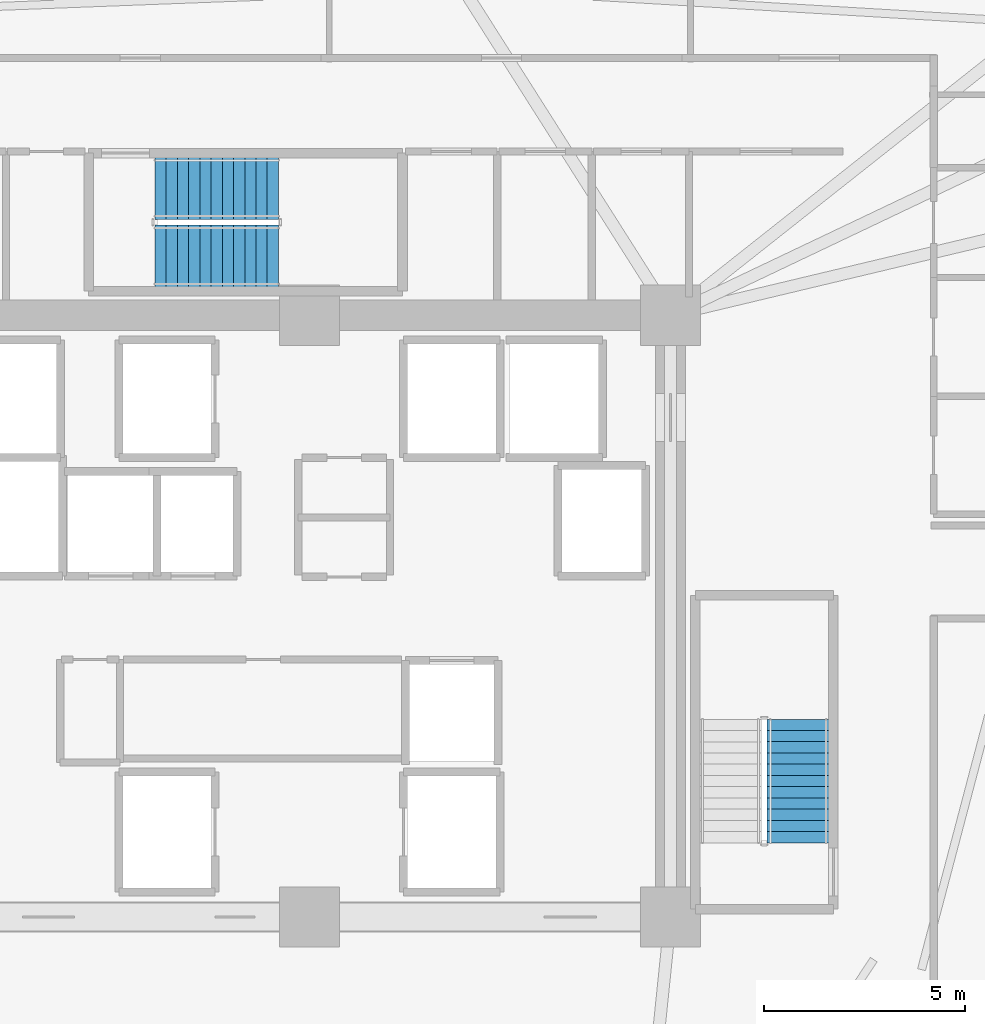
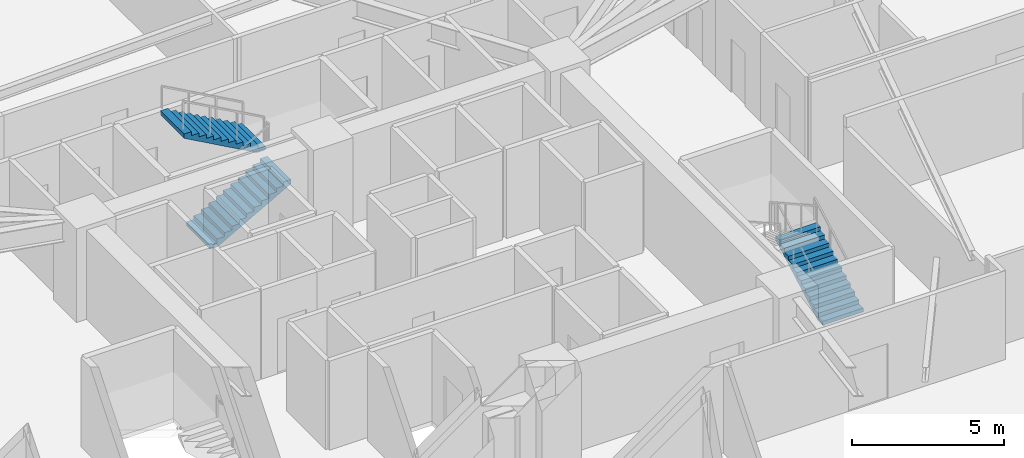
# One storey, part 8 of 9: 3 stair flights, 2 elements without a shape of their own.
"""IFC4 building model written with IfcOpenShell, lengths in metres."""

from ifc_helpers import new_model, si_unit, direction, frame, origin, place, context, subcontext, project, spatial, polyline, outline, extrude, material, type_object, element, aggregate, save


model = new_model("IFC4")

# Units and contexts
model_context = context("Model", 3, precision=1e-05, world=origin(), true_north=direction((0.0, 1.0)))
body_context = subcontext(model_context, "Body", "Model", "MODEL_VIEW")
ifc_project = project(units=[si_unit("LENGTHUNIT", "METRE"), si_unit("AREAUNIT", "SQUARE_METRE"), si_unit("VOLUMEUNIT", "CUBIC_METRE"), si_unit("PLANEANGLEUNIT", "RADIAN"), si_unit("MASSUNIT", "GRAM", prefix="KILO")], contexts=[model_context])

# Site, building, storey
site_placement = place(None, origin())
site = spatial("IfcSite", under=ifc_project, at=site_placement, CompositionType="ELEMENT")
building_placement = place(site_placement, origin())
building = spatial("IfcBuilding", under=site, at=building_placement, Name="Liaohun Quay Tower", CompositionType="ELEMENT")
storey_placement = place(building_placement, frame((0.0, 0.0, 132.0)))
storey = spatial("IfcBuildingStorey", under=building, at=storey_placement, Name="L34", CompositionType="ELEMENT", Elevation=132.0)

# Stair, stair flight
ifc_material = material(Name="Concrete C45", Category="concrete")
stair_type = type_object("IfcStairType", Name="STR-CORE-OFF", PredefinedType="HALF_TURN_STAIR", material=ifc_material)
stair_1_placement = place(storey_placement, origin())
stair_1 = element("IfcStair", 1, at=stair_1_placement, inside=storey, type_object=stair_type, Name="L34 Smokeproof Core Exit Stair ST-2", PredefinedType="HALF_TURN_STAIR")
stair_flight_type = type_object("IfcStairFlightType", Name="FLT-CORE-155", PredefinedType="STRAIGHT", material=ifc_material)
stair_flight_1_placement = place(storey_placement, frame((72.18505859375, 48.35009765625, 0.0), z_axis=(0.0, 0.0, 1.0), x_axis=(0.0, 1.0, 0.0)))
stair_flight_1 = element("IfcStairFlight", 2, at=stair_flight_1_placement, type_object=stair_flight_type, Name="ST-2 flight 1", NumberOfRisers=12, NumberOfTreads=11, PredefinedType="STRAIGHT", RiserHeight=0.15625, TreadLength=0.28, context=body_context, shape_type="SweptSolid", body=[
    extrude(outline(polyline([(0.0, 0.0), (0.0, 0.15625), (0.280029296875, 0.15625), (0.280029296875, 0.3125), (0.56005859375, 0.3125), (0.56005859375, 0.46875), (0.840087890625, 0.46875), (0.840087890625, 0.625), (1.1201171875, 0.625), (1.1201171875, 0.78125), (1.39990234375, 0.78125), (1.39990234375, 0.9375), (1.679931640625, 0.9375), (1.679931640625, 1.09375), (1.9599609375, 1.09375), (1.9599609375, 1.25), (2.239990234375, 1.25), (2.239990234375, 1.40625), (2.52001953125, 1.40625), (2.52001953125, 1.5625), (2.800048828125, 1.5625), (2.800048828125, 1.71875), (3.080078125, 1.71875), (3.080078125, 1.875), (3.080078125, 1.547119140625), (0.3076171875, 0.0), (0.0, 0.0)])), frame((0.0, 0.77490234375, 0.0), z_axis=(0.0, -1.0, 0.0), x_axis=(1.0, 0.0, 0.0)), (0.0, 0.0, 1.0), 1.550048828125),
])
aggregate(stair_1, [stair_flight_1])

# Stair, stair flights
stair_2_placement = place(storey_placement, origin())
stair_2 = element("IfcStair", 3, at=stair_2_placement, inside=storey, type_object=stair_type, Name="L34 Smokeproof Core Exit Stair ST-3", PredefinedType="HALF_TURN_STAIR")
stair_flight_2_placement = place(storey_placement, frame((56.14990234375, 62.97509765625, 0.0), z_axis=(0.0, 0.0, 1.0), x_axis=(1.0, 0.0, 0.0)))
stair_flight_2 = element("IfcStairFlight", 4, at=stair_flight_2_placement, type_object=stair_flight_type, Name="ST-3 flight 1", NumberOfRisers=12, NumberOfTreads=11, PredefinedType="STRAIGHT", RiserHeight=0.15625, TreadLength=0.28, context=body_context, shape_type="SweptSolid", body=[
    extrude(outline(polyline([(0.0, 0.0), (0.0, 0.15625), (0.280029296875, 0.15625), (0.280029296875, 0.3125), (0.56005859375, 0.3125), (0.56005859375, 0.46875), (0.840087890625, 0.46875), (0.840087890625, 0.625), (1.1201171875, 0.625), (1.1201171875, 0.78125), (1.39990234375, 0.78125), (1.39990234375, 0.9375), (1.679931640625, 0.9375), (1.679931640625, 1.09375), (1.9599609375, 1.09375), (1.9599609375, 1.25), (2.239990234375, 1.25), (2.239990234375, 1.40625), (2.52001953125, 1.40625), (2.52001953125, 1.5625), (2.800048828125, 1.5625), (2.800048828125, 1.71875), (3.080078125, 1.71875), (3.080078125, 1.875), (3.080078125, 1.547119140625), (0.3076171875, 0.0), (0.0, 0.0)])), frame((0.0, 0.77490234375, 0.0), z_axis=(0.0, -1.0, 0.0), x_axis=(1.0, 0.0, 0.0)), (0.0, 0.0, 1.0), 1.550048828125),
])
stair_flight_3_placement = place(storey_placement, frame((59.22998046875, 64.6650390625, 1.875), z_axis=(0.0, 0.0, 1.0), x_axis=(-1.0, 0.0, 0.0)))
stair_flight_3 = element("IfcStairFlight", 5, at=stair_flight_3_placement, type_object=stair_flight_type, Name="ST-3 flight 2", NumberOfRisers=12, NumberOfTreads=11, PredefinedType="STRAIGHT", RiserHeight=0.15625, TreadLength=0.28, context=body_context, shape_type="SweptSolid", body=[
    extrude(outline(polyline([(0.0, 0.0), (0.0, 0.15625), (0.280029296875, 0.15625), (0.280029296875, 0.3125), (0.56005859375, 0.3125), (0.56005859375, 0.46875), (0.840087890625, 0.46875), (0.840087890625, 0.625), (1.1201171875, 0.625), (1.1201171875, 0.78125), (1.39990234375, 0.78125), (1.39990234375, 0.9375), (1.679931640625, 0.9375), (1.679931640625, 1.09375), (1.9599609375, 1.09375), (1.9599609375, 1.25), (2.239990234375, 1.25), (2.239990234375, 1.40625), (2.52001953125, 1.40625), (2.52001953125, 1.5625), (2.800048828125, 1.5625), (2.800048828125, 1.71875), (3.080078125, 1.71875), (3.080078125, 1.875), (3.080078125, 1.547119140625), (0.3076171875, 0.0), (0.0, 0.0)])), frame((0.0, 0.77490234375, 0.0), z_axis=(0.0, -1.0, 0.0), x_axis=(1.0, 0.0, 0.0)), (0.0, 0.0, 1.0), 1.550048828125),
])
aggregate(stair_2, [stair_flight_2, stair_flight_3])

save(model, "model.ifc")
